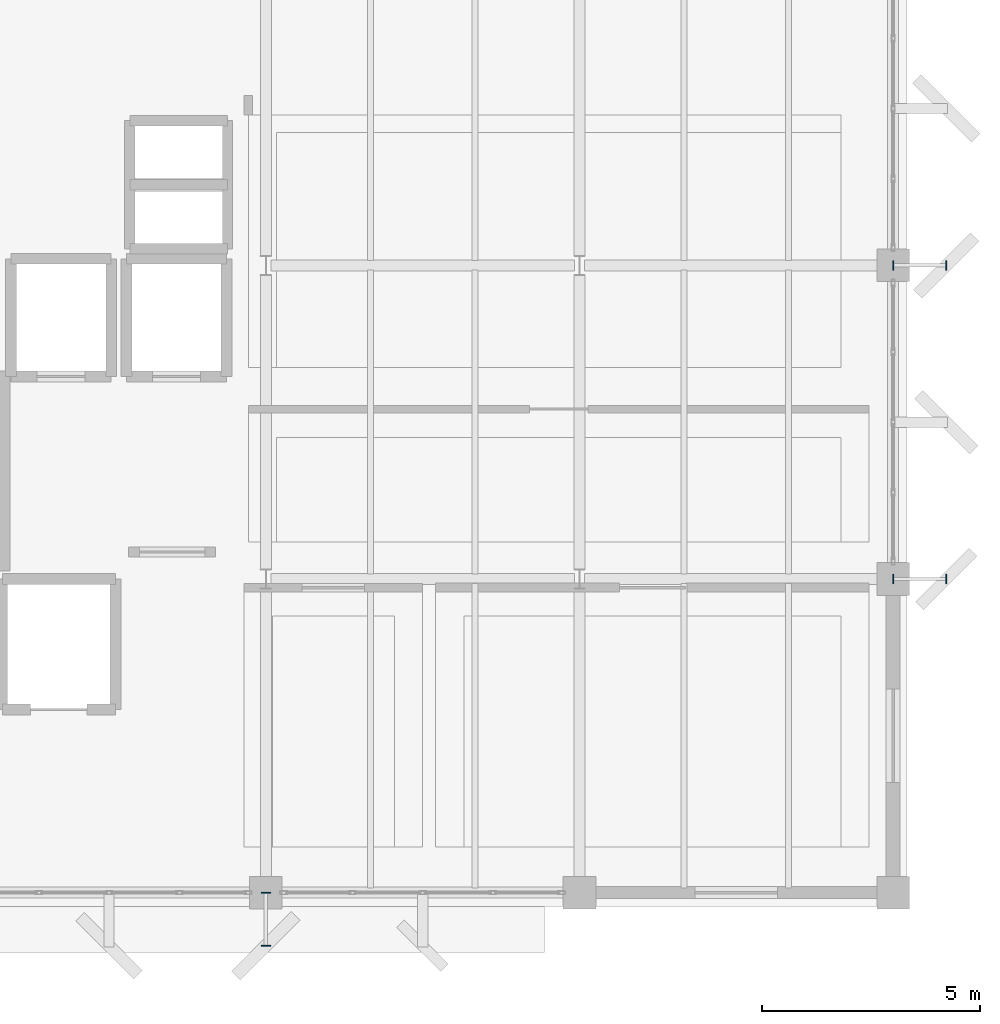
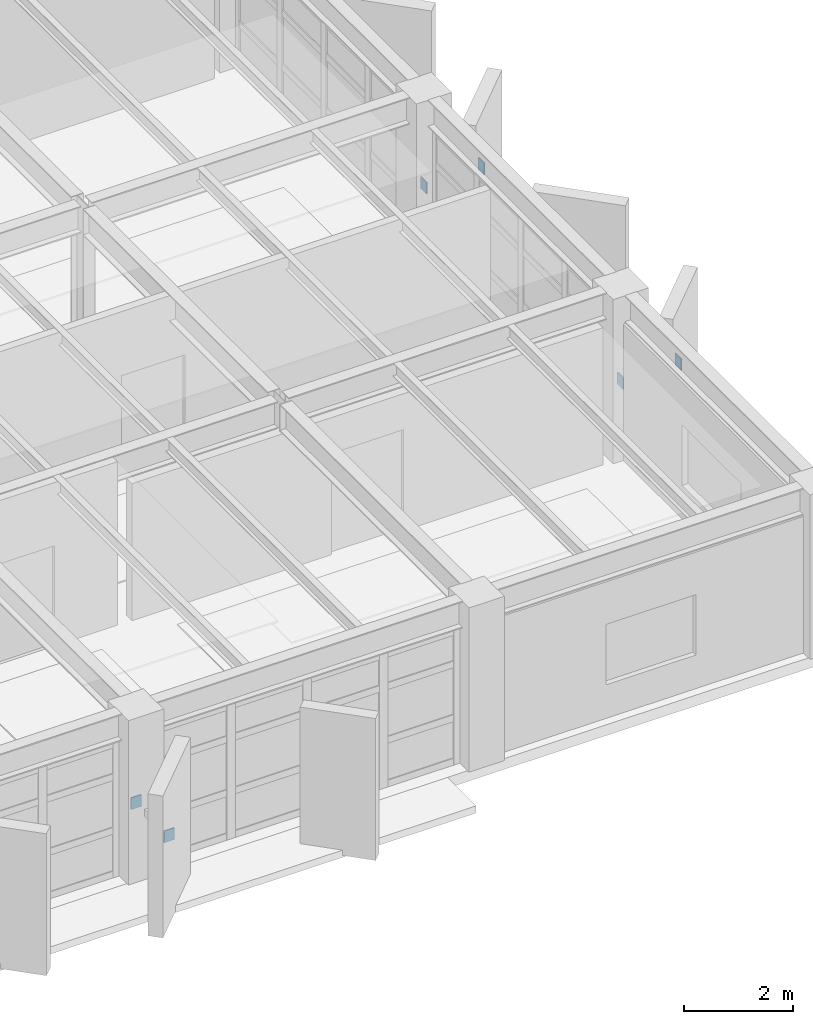
# One storey, part 20 of 24: 6 discrete accessories.
"""IFC4 building model written with IfcOpenShell, lengths in metres."""

from ifc_helpers import new_model, si_unit, direction, frame, origin, origin_2d, place, context, subcontext, project, spatial, rectangle, extrude, material, type_object, element, save


model = new_model("IFC4")

# Units and contexts
model_context = context("Model", 3, precision=1e-05, world=origin(), true_north=direction((0.0, 1.0)))
body_context = subcontext(model_context, "Body", "Model", "MODEL_VIEW")
ifc_project = project(units=[si_unit("LENGTHUNIT", "METRE"), si_unit("AREAUNIT", "SQUARE_METRE"), si_unit("VOLUMEUNIT", "CUBIC_METRE"), si_unit("PLANEANGLEUNIT", "RADIAN"), si_unit("MASSUNIT", "GRAM", prefix="KILO")], contexts=[model_context])

# Site, building, storey
site_placement = place(None, origin())
site = spatial("IfcSite", under=ifc_project, at=site_placement, CompositionType="ELEMENT")
building_placement = place(site_placement, origin())
building = spatial("IfcBuilding", under=site, at=building_placement, Name="Kandorven Conservatory and Botanical Research Centre", CompositionType="ELEMENT")
storey_placement = place(building_placement, frame((0.0, 0.0, 21.0)))
storey = spatial("IfcBuildingStorey", under=building, at=storey_placement, Name="L05", CompositionType="ELEMENT", Elevation=21.0)

# Discrete accessories
ifc_material = material(Name="Steel S355 (IS 2062 E350)", Category="steel")
discrete_accessory_type = type_object("IfcDiscreteAccessoryType", Name="SteelGussetPlate", PredefinedType="BRACKET", material=ifc_material)
for number, where, z_axis, x_axis, name in (
    (1, (27.60009765625, 6.0, 1.3701171875), (0.0, 0.0, 1.0), (1.0, 0.0, 0.0), "Welded steel strut end-plate GUS-01 #49A"),
    (2, (27.60009765625, 4.780029296875, 1.3701171875), (0.0, 0.0, 1.0), (1.0, 0.0, 0.0), "Welded steel strut end-plate GUS-01 #49B"),
):
    element("IfcDiscreteAccessory", number, at=place(storey_placement, frame(where, z_axis=z_axis, x_axis=x_axis)), inside=storey, type_object=discrete_accessory_type, Name=name, PredefinedType="BRACKET", context=body_context, shape_type="SweptSolid", body=[
        extrude(rectangle(XDim=0.219970703125, YDim=0.02392578125, at=origin_2d()), origin(), (0.0, 0.0, 1.0), 0.260009765625),
    ])
for number, where, z_axis, x_axis, name in (
    (3, (42.0, 13.199951171875, 1.3701171875), (0.0, 0.0, 1.0), (1.0, 0.0, 0.0), "Welded steel strut end-plate GUS-01 #55A"),
    (4, (43.219970703125, 13.199951171875, 1.3701171875), (0.0, 0.0, 1.0), (1.0, 0.0, 0.0), "Welded steel strut end-plate GUS-01 #55B"),
    (5, (42.0, 20.39990234375, 1.3701171875), (0.0, 0.0, 1.0), (1.0, 0.0, 0.0), "Welded steel strut end-plate GUS-01 #57A"),
    (6, (43.219970703125, 20.39990234375, 1.3701171875), (0.0, 0.0, 1.0), (1.0, 0.0, 0.0), "Welded steel strut end-plate GUS-01 #57B"),
):
    element("IfcDiscreteAccessory", number, at=place(storey_placement, frame(where, z_axis=z_axis, x_axis=x_axis)), inside=storey, type_object=discrete_accessory_type, Name=name, PredefinedType="BRACKET", context=body_context, shape_type="SweptSolid", body=[
        extrude(rectangle(XDim=0.02392578125, YDim=0.219970703125, at=origin_2d()), origin(), (0.0, 0.0, 1.0), 0.260009765625),
    ])

save(model, "model.ifc")
